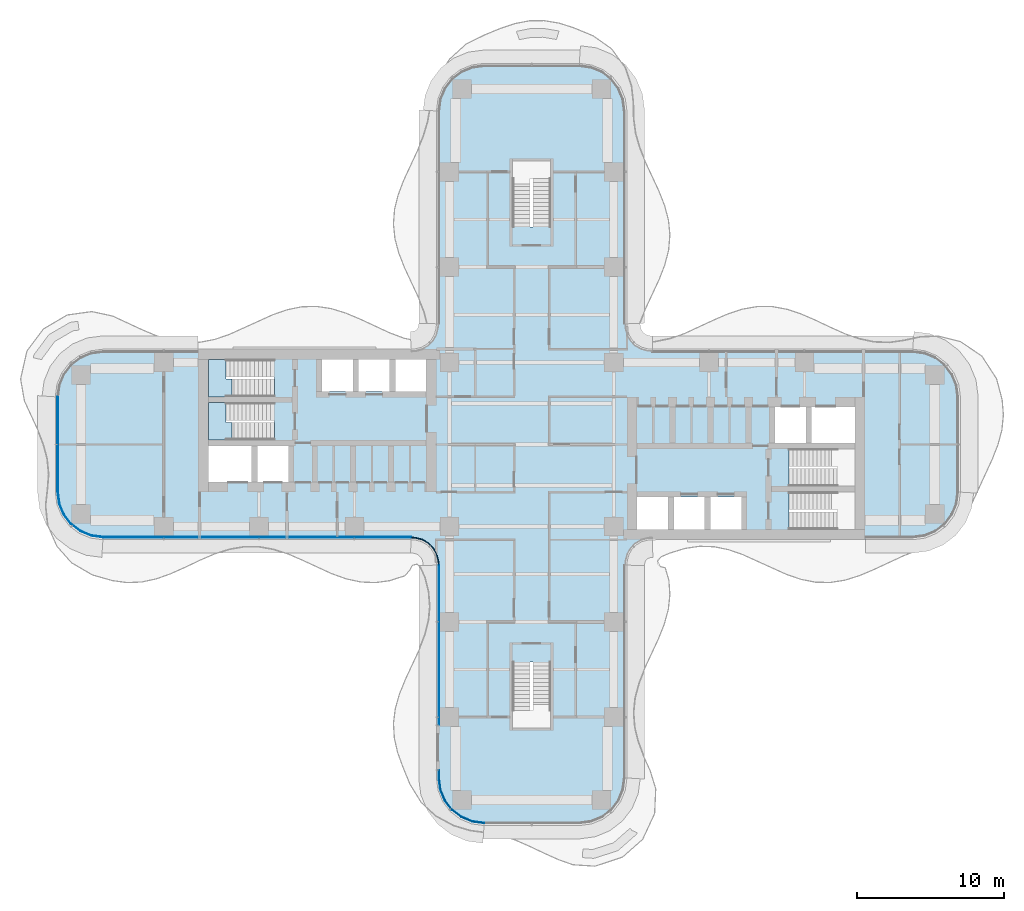
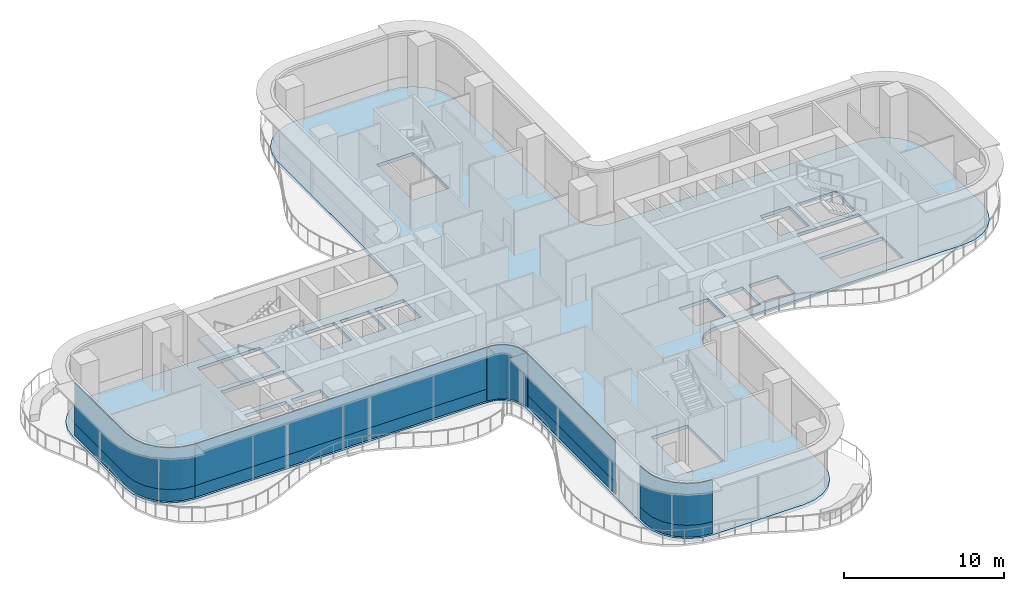
# One storey, part 13 of 21: 9 plates, 3 slabs, 7 elements without a shape of their own.
"""IFC4 building model written with IfcOpenShell, lengths in metres."""

from ifc_helpers import new_model, si_unit, direction, frame, origin, place, context, subcontext, project, spatial, polyline, outline, extrude, source, transform, mapped, material, layer, layer_set, type_object, element, aggregate, save


model = new_model("IFC4")

# Units and contexts
model_context = context("Model", 3, precision=1e-05, world=origin(), true_north=direction((0.0, 1.0)))
body_context = subcontext(model_context, "Body", "Model", "MODEL_VIEW")
ifc_project = project(units=[si_unit("LENGTHUNIT", "METRE"), si_unit("AREAUNIT", "SQUARE_METRE"), si_unit("VOLUMEUNIT", "CUBIC_METRE"), si_unit("PLANEANGLEUNIT", "RADIAN"), si_unit("MASSUNIT", "GRAM", prefix="KILO")], contexts=[model_context])

# Site, building, storey
site_placement = place(None, origin())
site = spatial("IfcSite", under=ifc_project, at=site_placement, CompositionType="ELEMENT")
building_placement = place(site_placement, origin())
building = spatial("IfcBuilding", under=site, at=building_placement, Name="Trellis Farm Tower", CompositionType="ELEMENT")
storey_placement = place(building_placement, frame((0.0, 0.0, 147.0)))
storey = spatial("IfcBuildingStorey", under=building, at=storey_placement, Name="L31", CompositionType="ELEMENT", Elevation=147.0)

# Slab
ifc_material_1 = material(Name="Concrete C40/50", Category="concrete")
ifc_layer_1 = layer(ifc_material_1, 0.25)
ifc_layer_set_1 = layer_set([ifc_layer_1], Name="Composite deck floor slab 250")
slab_type_1 = type_object("IfcSlabType", Name="Composite deck floor slab 250", PredefinedType="FLOOR", material=ifc_layer_set_1)
shared_shape_1 = source(origin(), body_context, "Body", "SweptSolid", [
    extrude(outline(polyline([(-30.09130859375, -6.389404296875), (-30.875, -6.064697265625), (-31.548095703125, -5.548095703125), (-32.064697265625, -4.875), (-32.389404296875, -4.09130859375), (-32.5, -3.25), (-32.5, 3.25), (-32.389404296875, 4.09130859375), (-32.064697265625, 4.875), (-31.548095703125, 5.548095703125), (-30.875, 6.064697265625), (-30.09130859375, 6.389404296875), (-29.25, 6.5), (-8.2314453125, 6.5), (-8.01953125, 6.513916015625), (-7.91552734375, 6.527587890625), (-7.508544921875, 6.63671875), (-7.144287109375, 6.846923828125), (-6.846923828125, 7.144287109375), (-6.63671875, 7.508544921875), (-6.527587890625, 7.91552734375), (-6.513916015625, 8.01953125), (-6.5, 8.2314453125), (-6.5, 22.75), (-6.389404296875, 23.59130859375), (-6.064697265625, 24.375), (-5.548095703125, 25.048095703125), (-4.875, 25.564697265625), (-4.09130859375, 25.889404296875), (-3.25, 26.0), (3.25, 26.0), (4.09130859375, 25.889404296875), (4.875, 25.564697265625), (5.548095703125, 25.048095703125), (6.064697265625, 24.375), (6.389404296875, 23.59130859375), (6.5, 22.75), (6.5, 8.2314453125), (6.513916015625, 8.01953125), (6.527587890625, 7.91552734375), (6.63671875, 7.508544921875), (6.846923828125, 7.144287109375), (7.144287109375, 6.846923828125), (7.508544921875, 6.63671875), (7.91552734375, 6.527587890625), (8.01953125, 6.513916015625), (8.2314453125, 6.5), (26.0, 6.5), (26.84130859375, 6.389404296875), (27.625, 6.064697265625), (28.298095703125, 5.548095703125), (28.814697265625, 4.875), (29.139404296875, 4.09130859375), (29.25, 3.25), (29.25, -3.25), (29.139404296875, -4.09130859375), (28.814697265625, -4.875), (28.298095703125, -5.548095703125), (27.625, -6.064697265625), (26.84130859375, -6.389404296875), (26.0, -6.5), (8.2314453125, -6.5), (8.01953125, -6.513916015625), (7.91552734375, -6.527587890625), (7.508544921875, -6.63671875), (7.144287109375, -6.846923828125), (6.846923828125, -7.144287109375), (6.63671875, -7.508544921875), (6.527587890625, -7.91552734375), (6.513916015625, -8.01953125), (6.5, -8.2314453125), (6.5, -22.75), (6.389404296875, -23.59130859375), (6.064697265625, -24.375), (5.548095703125, -25.048095703125), (4.875, -25.564697265625), (4.09130859375, -25.889404296875), (3.25, -26.0), (-3.25, -26.0), (-4.09130859375, -25.889404296875), (-4.875, -25.564697265625), (-5.548095703125, -25.048095703125), (-6.064697265625, -24.375), (-6.389404296875, -23.59130859375), (-6.5, -22.75), (-6.5, -8.2314453125), (-6.513916015625, -8.01953125), (-6.527587890625, -7.91552734375), (-6.63671875, -7.508544921875), (-6.846923828125, -7.144287109375), (-7.144287109375, -6.846923828125), (-7.508544921875, -6.63671875), (-7.91552734375, -6.527587890625), (-8.01953125, -6.513916015625), (-8.2314453125, -6.5), (-29.25, -6.5), (-30.09130859375, -6.389404296875)]), holes=[polyline([(-22.050048828125, -0.10009765625), (-22.050048828125, -2.550048828125), (-19.10009765625, -2.550048828125), (-19.10009765625, -0.10009765625), (-22.050048828125, -0.10009765625)]), polyline([(-18.699951171875, -0.10009765625), (-18.699951171875, -2.550048828125), (-16.60009765625, -2.550048828125), (-16.60009765625, -0.10009765625), (-18.699951171875, -0.10009765625)]), polyline([(-17.56201171875, 1.64990234375), (-17.56201171875, 2.85009765625), (-22.050048828125, 2.85009765625), (-22.050048828125, 0.300048828125), (-17.56005859375, 0.300048828125), (-17.56005859375, 1.5), (-17.550048828125, 1.5), (-17.550048828125, 1.64990234375), (-17.56201171875, 1.64990234375)]), polyline([(-17.56201171875, 4.60009765625), (-17.56201171875, 5.800048828125), (-22.050048828125, 5.800048828125), (-22.050048828125, 3.25), (-17.56005859375, 3.25), (-17.56005859375, 4.449951171875), (-17.550048828125, 4.449951171875), (-17.550048828125, 4.60009765625), (-17.56201171875, 4.60009765625)]), polyline([(-14.300048828125, 5.800048828125), (-14.300048828125, 3.60009765625), (-12.199951171875, 3.60009765625), (-12.199951171875, 5.800048828125), (-14.300048828125, 5.800048828125)]), polyline([(-11.800048828125, 5.800048828125), (-11.800048828125, 3.60009765625), (-9.699951171875, 3.60009765625), (-9.699951171875, 5.800048828125), (-11.800048828125, 5.800048828125)]), polyline([(-9.300048828125, 5.800048828125), (-9.300048828125, 3.60009765625), (-7.199951171875, 3.60009765625), (-7.199951171875, 5.800048828125), (-9.300048828125, 5.800048828125)]), polyline([(0.10009765625, 14.862060546875), (1.300048828125, 14.862060546875), (1.300048828125, 19.35009765625), (-1.300048828125, 19.35009765625), (-1.300048828125, 14.860107421875), (-0.10009765625, 14.860107421875), (-0.10009765625, 14.85009765625), (0.10009765625, 14.85009765625), (0.10009765625, 14.862060546875)]), polyline([(-0.10009765625, -14.862060546875), (-1.300048828125, -14.862060546875), (-1.300048828125, -19.35009765625), (1.300048828125, -19.35009765625), (1.300048828125, -14.860107421875), (0.10009765625, -14.860107421875), (0.10009765625, -14.85009765625), (-0.10009765625, -14.85009765625), (-0.10009765625, -14.862060546875)]), polyline([(9.300048828125, -5.800048828125), (9.300048828125, -3.60009765625), (7.199951171875, -3.60009765625), (7.199951171875, -5.800048828125), (9.300048828125, -5.800048828125)]), polyline([(11.800048828125, -5.800048828125), (11.800048828125, -3.60009765625), (9.699951171875, -3.60009765625), (9.699951171875, -5.800048828125), (11.800048828125, -5.800048828125)]), polyline([(14.300048828125, -5.800048828125), (14.300048828125, -3.60009765625), (12.199951171875, -3.60009765625), (12.199951171875, -5.800048828125), (14.300048828125, -5.800048828125)]), polyline([(17.56201171875, -4.60009765625), (17.56201171875, -5.800048828125), (22.050048828125, -5.800048828125), (22.050048828125, -3.25), (17.56005859375, -3.25), (17.56005859375, -4.449951171875), (17.550048828125, -4.449951171875), (17.550048828125, -4.60009765625), (17.56201171875, -4.60009765625)]), polyline([(17.56201171875, -1.64990234375), (17.56201171875, -2.85009765625), (22.050048828125, -2.85009765625), (22.050048828125, -0.300048828125), (17.56005859375, -0.300048828125), (17.56005859375, -1.5), (17.550048828125, -1.5), (17.550048828125, -1.64990234375), (17.56201171875, -1.64990234375)]), polyline([(18.699951171875, 0.10009765625), (18.699951171875, 2.550048828125), (16.60009765625, 2.550048828125), (16.60009765625, 0.10009765625), (18.699951171875, 0.10009765625)]), polyline([(22.050048828125, 0.10009765625), (22.050048828125, 2.550048828125), (19.10009765625, 2.550048828125), (19.10009765625, 0.10009765625), (22.050048828125, 0.10009765625)])]), origin(), (0.0, 0.0, 1.0), 0.25),
])
slab_1_placement = place(storey_placement, frame((0.0, 0.0, -0.25)))
element("IfcSlab", 1, at=slab_1_placement, inside=storey, type_object=slab_type_1, Name="Floor slab", PredefinedType="FLOOR", context=body_context, shape_type="MappedRepresentation", body=[
    mapped(shared_shape_1, transform((0.0, 0.0, 0.0))),
])

# Stair, slab
ifc_material_2 = material(Name="Concrete C50/60", Category="concrete")
stair_type = type_object("IfcStairType", Name="CORE EXIT STAIR 26 RISERS 173 MM", PredefinedType="HALF_TURN_STAIR", material=ifc_material_2)
placement_1 = place(storey_placement, origin())
stair_1 = element("IfcStair", 2, at=placement_1, inside=storey, type_object=stair_type, Name="Exit stair W1", PredefinedType="HALF_TURN_STAIR")
ifc_layer_2 = layer(ifc_material_2, 0.18994140625)
ifc_layer_set_2 = layer_set([ifc_layer_2], Name="CORE STAIR LANDING 190 CONCRETE C50/60")
slab_type_2 = type_object("IfcSlabType", Name="CORE STAIR LANDING 190 CONCRETE C50/60", PredefinedType="LANDING", material=ifc_layer_set_2)
shared_shape_2 = source(origin(), body_context, "Body", "SweptSolid", [
    extrude(outline(polyline([(-20.453125, 4.449951171875), (-20.453125, 3.25), (-20.85009765625, 3.25), (-22.050048828125, 3.25), (-22.050048828125, 5.800048828125), (-20.85009765625, 5.800048828125), (-20.840087890625, 5.800048828125), (-20.840087890625, 4.60009765625), (-20.85009765625, 4.60009765625), (-20.85009765625, 4.449951171875), (-20.453125, 4.449951171875)])), origin(), (0.0, 0.0, 1.0), 0.18994140625),
])
placement_2 = place(storey_placement, frame((0.0, 0.0, 2.06005859375)))
slab_2 = element("IfcSlab", 3, at=placement_2, type_object=slab_type_2, Name="STW1 landing 1", PredefinedType="LANDING", context=body_context, shape_type="MappedRepresentation", body=[
    mapped(shared_shape_2, transform((0.0, 0.0, 0.0))),
])
aggregate(stair_1, [slab_2])

stair_2 = element("IfcStair", 4, at=placement_1, inside=storey, type_object=stair_type, Name="Exit stair W2", PredefinedType="HALF_TURN_STAIR")
shared_shape_3 = source(origin(), body_context, "Body", "SweptSolid", [
    extrude(outline(polyline([(-20.453125, 1.5), (-20.453125, 0.300048828125), (-20.85009765625, 0.300048828125), (-22.050048828125, 0.300048828125), (-22.050048828125, 2.85009765625), (-20.85009765625, 2.85009765625), (-20.840087890625, 2.85009765625), (-20.840087890625, 1.64990234375), (-20.85009765625, 1.64990234375), (-20.85009765625, 1.5), (-20.453125, 1.5)])), origin(), (0.0, 0.0, 1.0), 0.18994140625),
])
slab_3 = element("IfcSlab", 5, at=placement_2, type_object=slab_type_2, Name="STW2 landing 1", PredefinedType="LANDING", context=body_context, shape_type="MappedRepresentation", body=[
    mapped(shared_shape_3, transform((0.0, 0.0, 0.0))),
])
aggregate(stair_2, [slab_3])

# Curtain wall, plates
ifc_material_3 = material(Name="Aluminium and glass curtain wall", Category="aluminium")
ifc_layer_3 = layer(ifc_material_3, 0.18994140625)
ifc_layer_set_3 = layer_set([ifc_layer_3], Name="RIBBON CURTAIN WALL CW1")
curtain_wall_type_1 = type_object("IfcCurtainWallType", Name="RIBBON CURTAIN WALL CW1", PredefinedType="NOTDEFINED", material=ifc_layer_set_3)
curtain_wall_1 = element("IfcCurtainWall", 6, at=placement_1, inside=storey, type_object=curtain_wall_type_1, Name="CW1 001", PredefinedType="NOTDEFINED")
ifc_material_4 = material(Name="Clear insulated glass", Category="glass")
ifc_layer_4 = layer(ifc_material_4, 0.0400390625)
ifc_layer_set_4 = layer_set([ifc_layer_4], Name="CW1 GLASS PANEL 40")
plate_type_1 = type_object("IfcPlateType", Name="CW1 GLASS PANEL 40", PredefinedType="CURTAIN_PANEL", material=ifc_layer_set_4)
shared_shape_4 = source(origin(), body_context, "Body", "SweptSolid", [
    extrude(outline(polyline([(-29.240234375, -6.35009765625), (-8.2265625, -6.35009765625), (-8.22509765625, -6.31005859375), (-29.237548828125, -6.31005859375), (-29.240234375, -6.35009765625)])), origin(), (0.0, 0.0, 1.0), 3.170166015625),
])
placement_3 = place(storey_placement, frame((0.0, 0.0, 0.89990234375)))
plate_1 = element("IfcPlate", 7, at=placement_3, type_object=plate_type_1, Name="PL1 001", PredefinedType="CURTAIN_PANEL", context=body_context, shape_type="MappedRepresentation", body=[
    mapped(shared_shape_4, transform((0.0, 0.0, 0.0))),
])
ifc_material_5 = material(Name="Sandstone faced insulated panel", Category="masonry")
ifc_layer_5 = layer(ifc_material_5, 0.050048828125)
ifc_layer_set_5 = layer_set([ifc_layer_5], Name="CW1 STONE SPANDREL PANEL 50")
plate_type_2 = type_object("IfcPlateType", Name="CW1 STONE SPANDREL PANEL 50", PredefinedType="CURTAIN_PANEL", material=ifc_layer_set_5)
shared_shape_5 = source(origin(), body_context, "Body", "SweptSolid", [
    extrude(outline(polyline([(-29.240234375, -6.35009765625), (-8.2265625, -6.35009765625), (-8.224853515625, -6.300048828125), (-29.23681640625, -6.300048828125), (-29.240234375, -6.35009765625)])), origin(), (0.0, 0.0, 1.0), 0.89990234375),
])
plate_2 = element("IfcPlate", 8, at=placement_1, type_object=plate_type_2, Name="PS1 001", PredefinedType="CURTAIN_PANEL", context=body_context, shape_type="MappedRepresentation", body=[
    mapped(shared_shape_5, transform((0.0, 0.0, 0.0))),
])
aggregate(curtain_wall_1, [plate_1, plate_2])

# Curtain wall, plate
ifc_layer_6 = layer(ifc_material_3, 0.166015625)
ifc_layer_set_6 = layer_set([ifc_layer_6], Name="WINTER GARDEN CURTAIN WALL CW3")
curtain_wall_type_2 = type_object("IfcCurtainWallType", Name="WINTER GARDEN CURTAIN WALL CW3", PredefinedType="NOTDEFINED", material=ifc_layer_set_6)
curtain_wall_2 = element("IfcCurtainWall", 9, at=placement_1, inside=storey, type_object=curtain_wall_type_2, Name="CW3 001", PredefinedType="NOTDEFINED")
ifc_layer_7 = layer(ifc_material_4, 0.0458984375)
ifc_layer_set_7 = layer_set([ifc_layer_7], Name="CW3 GLASS PANEL 46")
plate_type_3 = type_object("IfcPlateType", Name="CW3 GLASS PANEL 46", PredefinedType="CURTAIN_PANEL", material=ifc_layer_set_7)
shared_shape_6 = source(origin(), body_context, "Body", "SweptSolid", [
    extrude(outline(polyline([(-8.2275390625, -6.3798828125), (-8.0078125, -6.394287109375), (-7.89208984375, -6.40966796875), (-7.462158203125, -6.52490234375), (-7.070556640625, -6.7509765625), (-6.7509765625, -7.070556640625), (-6.52490234375, -7.462158203125), (-6.40966796875, -7.89208984375), (-6.394287109375, -8.0078125), (-6.3798828125, -8.2275390625), (-6.333984375, -8.22607421875), (-6.3486328125, -8.003173828125), (-6.364501953125, -7.883056640625), (-6.48193359375, -7.4443359375), (-6.714111328125, -7.04248046875), (-7.04248046875, -6.714111328125), (-7.4443359375, -6.48193359375), (-7.883056640625, -6.364501953125), (-8.003173828125, -6.3486328125), (-8.22607421875, -6.333984375), (-8.2275390625, -6.3798828125)])), origin(), (0.0, 0.0, 1.0), 4.10009765625),
])
plate_3 = element("IfcPlate", 10, at=placement_1, type_object=plate_type_3, Name="PL3 001", PredefinedType="CURTAIN_PANEL", context=body_context, shape_type="MappedRepresentation", body=[
    mapped(shared_shape_6, transform((0.0, 0.0, 0.0))),
])
aggregate(curtain_wall_2, [plate_3])

# Curtain wall, plates
curtain_wall_3 = element("IfcCurtainWall", 11, at=placement_1, inside=storey, type_object=curtain_wall_type_1, Name="CW1 013", PredefinedType="NOTDEFINED")
shared_shape_7 = source(origin(), body_context, "Body", "SweptSolid", [
    extrude(outline(polyline([(-32.35009765625, 3.240234375), (-32.35009765625, -3.240234375), (-32.2431640625, -4.052001953125), (-31.93359375, -4.79931640625), (-31.441162109375, -5.441162109375), (-30.79931640625, -5.93359375), (-30.052001953125, -6.2431640625), (-29.240234375, -6.35009765625), (-29.237548828125, -6.31005859375), (-30.04150390625, -6.2041015625), (-30.779296875, -5.898681640625), (-31.41259765625, -5.41259765625), (-31.898681640625, -4.779296875), (-32.2041015625, -4.04150390625), (-32.31005859375, -3.237548828125), (-32.31005859375, 3.237548828125), (-32.35009765625, 3.240234375)])), origin(), (0.0, 0.0, 1.0), 3.170166015625),
])
plate_4 = element("IfcPlate", 12, at=placement_3, type_object=plate_type_1, Name="PL1 013", PredefinedType="CURTAIN_PANEL", context=body_context, shape_type="MappedRepresentation", body=[
    mapped(shared_shape_7, transform((0.0, 0.0, 0.0))),
])
shared_shape_8 = source(origin(), body_context, "Body", "SweptSolid", [
    extrude(outline(polyline([(-32.35009765625, 3.240234375), (-32.35009765625, -3.240234375), (-32.2431640625, -4.052001953125), (-31.93359375, -4.79931640625), (-31.441162109375, -5.441162109375), (-30.79931640625, -5.93359375), (-30.052001953125, -6.2431640625), (-29.240234375, -6.35009765625), (-29.23681640625, -6.300048828125), (-30.0390625, -6.1943359375), (-30.774169921875, -5.889892578125), (-31.405517578125, -5.405517578125), (-31.889892578125, -4.774169921875), (-32.1943359375, -4.0390625), (-32.300048828125, -3.23681640625), (-32.300048828125, 3.23681640625), (-32.35009765625, 3.240234375)])), origin(), (0.0, 0.0, 1.0), 0.89990234375),
])
plate_5 = element("IfcPlate", 13, at=placement_1, type_object=plate_type_2, Name="PS1 013", PredefinedType="CURTAIN_PANEL", context=body_context, shape_type="MappedRepresentation", body=[
    mapped(shared_shape_8, transform((0.0, 0.0, 0.0))),
])
aggregate(curtain_wall_3, [plate_4, plate_5])

curtain_wall_4 = element("IfcCurtainWall", 14, at=placement_1, inside=storey, type_object=curtain_wall_type_1, Name="CW1 002", PredefinedType="NOTDEFINED")
shared_shape_9 = source(origin(), body_context, "Body", "SweptSolid", [
    extrude(outline(polyline([(-6.35009765625, -8.2265625), (-6.35009765625, -19.114990234375), (-6.31005859375, -19.114990234375), (-6.31005859375, -8.22509765625), (-6.35009765625, -8.2265625)])), origin(), (0.0, 0.0, 1.0), 3.170166015625),
])
plate_6 = element("IfcPlate", 15, at=placement_3, type_object=plate_type_1, Name="PL1 002", PredefinedType="CURTAIN_PANEL", context=body_context, shape_type="MappedRepresentation", body=[
    mapped(shared_shape_9, transform((0.0, 0.0, 0.0))),
])
shared_shape_10 = source(origin(), body_context, "Body", "SweptSolid", [
    extrude(outline(polyline([(-6.35009765625, -8.2265625), (-6.35009765625, -19.114990234375), (-6.300048828125, -19.114990234375), (-6.300048828125, -8.224853515625), (-6.35009765625, -8.2265625)])), origin(), (0.0, 0.0, 1.0), 0.89990234375),
])
plate_7 = element("IfcPlate", 16, at=placement_1, type_object=plate_type_2, Name="PS1 002", PredefinedType="CURTAIN_PANEL", context=body_context, shape_type="MappedRepresentation", body=[
    mapped(shared_shape_10, transform((0.0, 0.0, 0.0))),
])
aggregate(curtain_wall_4, [plate_6, plate_7])

curtain_wall_5 = element("IfcCurtainWall", 17, at=placement_1, inside=storey, type_object=curtain_wall_type_1, Name="CW1 003", PredefinedType="NOTDEFINED")
shared_shape_11 = source(origin(), body_context, "Body", "SweptSolid", [
    extrude(outline(polyline([(-6.35009765625, -22.235107421875), (-6.35009765625, -22.740234375), (-6.2431640625, -23.552001953125), (-5.93359375, -24.29931640625), (-5.441162109375, -24.941162109375), (-4.79931640625, -25.43359375), (-4.052001953125, -25.7431640625), (-3.240234375, -25.85009765625), (-3.237548828125, -25.81005859375), (-4.04150390625, -25.7041015625), (-4.779296875, -25.398681640625), (-5.41259765625, -24.91259765625), (-5.898681640625, -24.279296875), (-6.2041015625, -23.54150390625), (-6.31005859375, -22.737548828125), (-6.31005859375, -22.235107421875), (-6.35009765625, -22.235107421875)])), origin(), (0.0, 0.0, 1.0), 3.170166015625),
])
plate_8 = element("IfcPlate", 18, at=placement_3, type_object=plate_type_1, Name="PL1 003", PredefinedType="CURTAIN_PANEL", context=body_context, shape_type="MappedRepresentation", body=[
    mapped(shared_shape_11, transform((0.0, 0.0, 0.0))),
])
shared_shape_12 = source(origin(), body_context, "Body", "SweptSolid", [
    extrude(outline(polyline([(-6.35009765625, -22.235107421875), (-6.35009765625, -22.740234375), (-6.2431640625, -23.552001953125), (-5.93359375, -24.29931640625), (-5.441162109375, -24.941162109375), (-4.79931640625, -25.43359375), (-4.052001953125, -25.7431640625), (-3.240234375, -25.85009765625), (-3.23681640625, -25.800048828125), (-4.0390625, -25.6943359375), (-4.774169921875, -25.389892578125), (-5.405517578125, -24.905517578125), (-5.889892578125, -24.274169921875), (-6.1943359375, -23.5390625), (-6.300048828125, -22.73681640625), (-6.300048828125, -22.235107421875), (-6.35009765625, -22.235107421875)])), origin(), (0.0, 0.0, 1.0), 0.89990234375),
])
plate_9 = element("IfcPlate", 19, at=placement_1, type_object=plate_type_2, Name="PS1 003", PredefinedType="CURTAIN_PANEL", context=body_context, shape_type="MappedRepresentation", body=[
    mapped(shared_shape_12, transform((0.0, 0.0, 0.0))),
])
aggregate(curtain_wall_5, [plate_8, plate_9])

save(model, "model.ifc")
